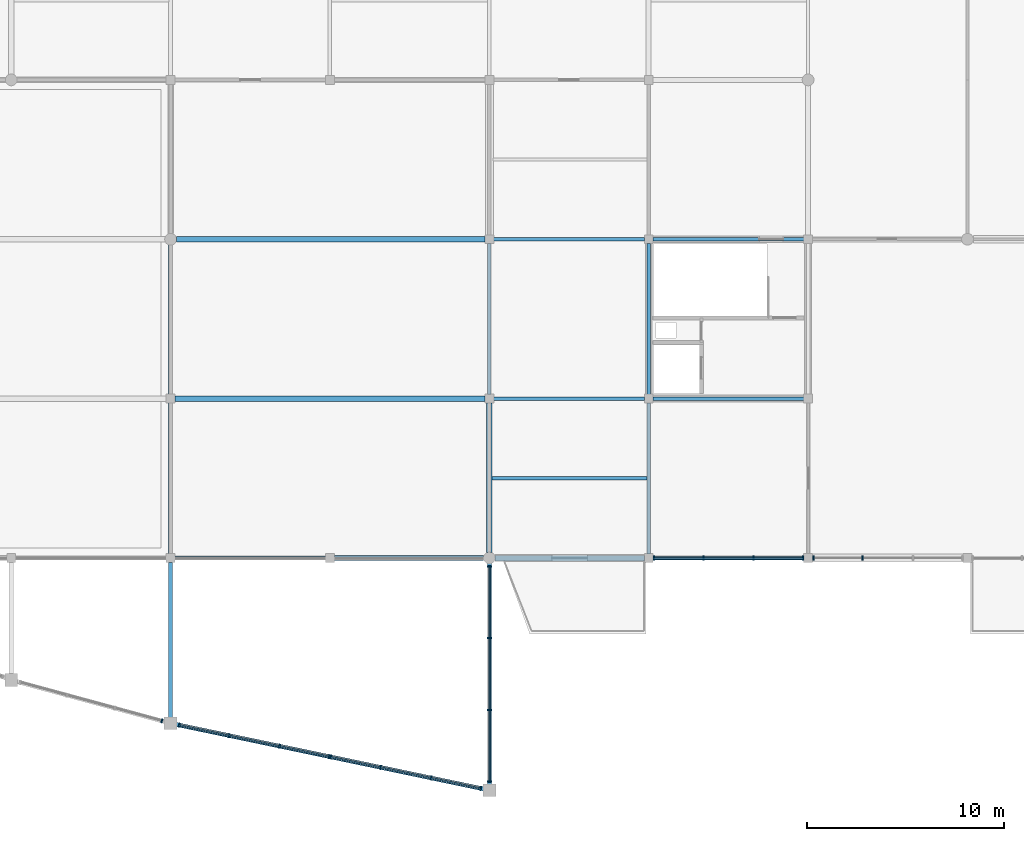
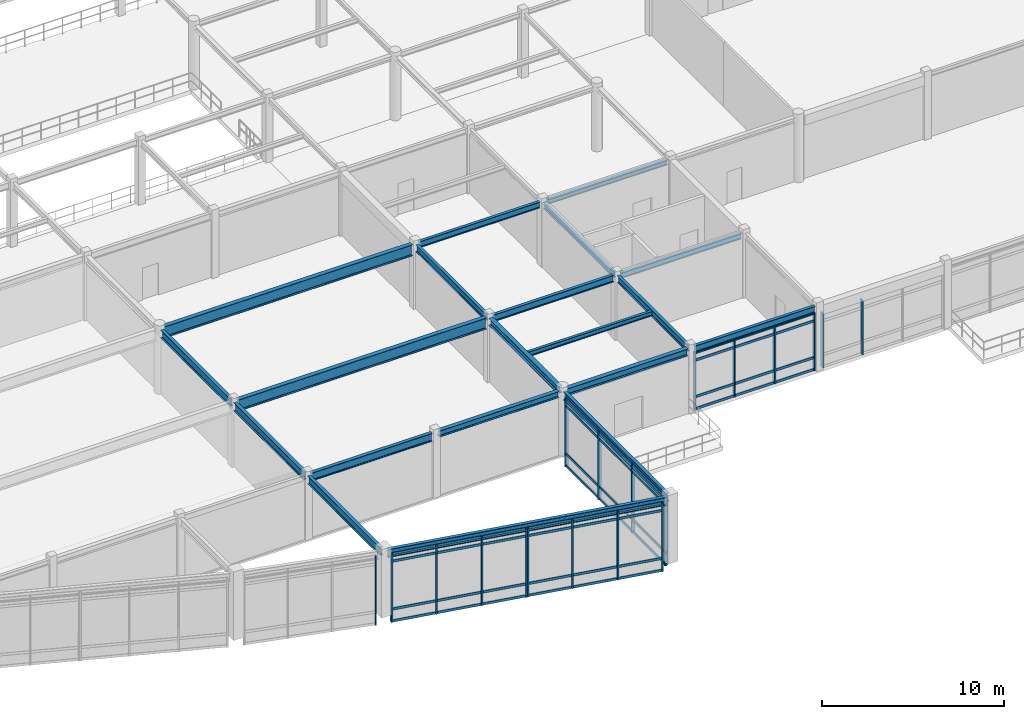
# One storey, part 21 of 93: 35 members, 20 beams, 6 elements without a shape of their own.
"""IFC4 building model written with IfcOpenShell, lengths in metres."""

from ifc_helpers import new_model, si_unit, direction, frame, origin, origin_2d, place, context, subcontext, project, spatial, rectangle, i_section, extrude, material, layer, layer_set, material_profile, profile_set, type_object, element, aggregate, save


model = new_model("IFC4")

# Units and contexts
model_context = context("Model", 3, precision=1e-05, world=origin(), true_north=direction((0.0, 1.0)))
body_context = subcontext(model_context, "Body", "Model", "MODEL_VIEW")
ifc_project = project(units=[si_unit("LENGTHUNIT", "METRE"), si_unit("AREAUNIT", "SQUARE_METRE"), si_unit("VOLUMEUNIT", "CUBIC_METRE"), si_unit("PLANEANGLEUNIT", "RADIAN"), si_unit("MASSUNIT", "GRAM", prefix="KILO")], contexts=[model_context])

# Site, building, storey
site_placement = place(None, origin())
site = spatial("IfcSite", under=ifc_project, at=site_placement, CompositionType="ELEMENT")
building_placement = place(site_placement, origin())
building = spatial("IfcBuilding", under=site, at=building_placement, Name="Vaudrelin Polytechnic", CompositionType="ELEMENT")
storey_placement = place(building_placement, frame((0.0, 0.0, 5.10009765625)))
storey = spatial("IfcBuildingStorey", under=building, at=storey_placement, Name="L01", CompositionType="ELEMENT", Elevation=5.10009765625)

# Beams
ifc_material_1 = material(Name="Steel CSA G40.21 350W", Category="steel")
ifc_material_profile_1 = material_profile(ifc_material_1, i_section(OverallWidth=0.178955078125, OverallDepth=0.409912109375, WebThickness=0.0087890625, FlangeThickness=0.014404296875, FilletRadius=0.01611328125, at=origin_2d()), Name="W410x67")
ifc_profile_set_1 = profile_set([ifc_material_profile_1], Name="Steel CSA G40.21 350W")
beam_type_1 = type_object("IfcBeamType", Name="BM-BM-W410", PredefinedType="BEAM", material=ifc_profile_set_1)
beam_1_placement = place(storey_placement, frame((89.10009765625, 8.31005859375, 4.10498046875), z_axis=(0.0, 1.0, 0.0), x_axis=(-1.0, 0.0, 0.0)))
element("IfcBeam", 1, at=beam_1_placement, inside=storey, type_object=beam_type_1, Name="L01 Y-beam 12-2", PredefinedType="BEAM", context=body_context, shape_type="SweptSolid", body=[
    extrude(i_section(OverallWidth=0.178955078125, OverallDepth=0.409912109375, WebThickness=0.0087890625, FlangeThickness=0.014404296875, FilletRadius=0.01611328125, at=origin_2d()), origin(), (0.0, 0.0, 1.0), 7.679931640625),
])
for number, where, z_axis, x_axis, name in (
    (2, (81.220947265625, 16.199951171875, 4.10498046875), (1.0, 0.0, 0.0), (0.0, 1.0, 0.0), "L01 X-beam 11-3"),
    (3, (89.321044921875, 8.10009765625, 4.10498046875), (1.0, 0.0, 0.0), (0.0, 1.0, 0.0), "L01 X-beam 12-2"),
):
    element("IfcBeam", number, at=place(storey_placement, frame(where, z_axis=z_axis, x_axis=x_axis)), inside=storey, type_object=beam_type_1, Name=name, PredefinedType="BEAM", context=body_context, shape_type="SweptSolid", body=[
        extrude(i_section(OverallWidth=0.178955078125, OverallDepth=0.409912109375, WebThickness=0.0087890625, FlangeThickness=0.014404296875, FilletRadius=0.01611328125, at=origin_2d()), origin(), (0.0, 0.0, 1.0), 7.657958984375),
    ])
ifc_material_2 = material(Name="Steel CSA G40.21 350WT", Category="steel")
ifc_material_profile_2 = material_profile(ifc_material_2, i_section(OverallWidth=0.260009765625, OverallDepth=0.4150390625, WebThickness=0.010009765625, FlangeThickness=0.016845703125, FilletRadius=0.01611328125, at=origin_2d()), Name="W410x100")
ifc_profile_set_2 = profile_set([ifc_material_profile_2], Name="Steel CSA G40.21 350WT")
beam_type_2 = type_object("IfcBeamType", Name="BM-BM-W410H", PredefinedType="SPANDREL", material=ifc_profile_set_2)
beam_2_placement = place(storey_placement, frame((73.12109375, 0.0, 4.102294921875), z_axis=(1.0, 0.0, 0.0), x_axis=(0.0, 1.0, 0.0)))
element("IfcBeam", 4, at=beam_2_placement, inside=storey, type_object=beam_type_2, Name="L01 X-beam 10-1", PredefinedType="SPANDREL", context=body_context, shape_type="SweptSolid", body=[
    extrude(i_section(OverallWidth=0.260009765625, OverallDepth=0.4150390625, WebThickness=0.010009765625, FlangeThickness=0.016845703125, FilletRadius=0.01611328125, at=origin_2d()), origin(), (0.0, 0.0, 1.0), 7.5830078125),
])
ifc_material_profile_3 = material_profile(ifc_material_2, i_section(OverallWidth=0.19091796875, OverallDepth=0.4599609375, WebThickness=0.010009765625, FlangeThickness=0.01611328125, FilletRadius=0.01806640625, at=origin_2d()), Name="W460x82")
ifc_profile_set_3 = profile_set([ifc_material_profile_3], Name="Steel CSA G40.21 350WT")
beam_type_3 = type_object("IfcBeamType", Name="BM-BM-W460", PredefinedType="BEAM", material=ifc_profile_set_3)
for number, where, z_axis, x_axis, name in (
    (5, (81.0, 8.31005859375, 4.079833984375), (0.0, 1.0, 0.0), (-1.0, 0.0, 0.0), "L01 Y-beam 11-2"),
    (6, (89.10009765625, 0.2099609375, 4.079833984375), (0.0, 1.0, 0.0), (-1.0, 0.0, 0.0), "L01 Y-beam 12-1"),
):
    element("IfcBeam", number, at=place(storey_placement, frame(where, z_axis=z_axis, x_axis=x_axis)), inside=storey, type_object=beam_type_3, Name=name, PredefinedType="BEAM", context=body_context, shape_type="SweptSolid", body=[
        extrude(i_section(OverallWidth=0.19091796875, OverallDepth=0.4599609375, WebThickness=0.010009765625, FlangeThickness=0.01611328125, FilletRadius=0.01806640625, at=origin_2d()), origin(), (0.0, 0.0, 1.0), 7.679931640625),
    ])
for number, where, z_axis, x_axis, name in (
    (7, (81.220947265625, 8.10009765625, 4.079833984375), (1.0, 0.0, 0.0), (0.0, 1.0, 0.0), "L01 X-beam 11-2"),
    (8, (89.321044921875, 0.0, 4.079833984375), (1.0, 0.0, 0.0), (0.0, 1.0, 0.0), "L01 X-beam 12-1"),
):
    element("IfcBeam", number, at=place(storey_placement, frame(where, z_axis=z_axis, x_axis=x_axis)), inside=storey, type_object=beam_type_3, Name=name, PredefinedType="BEAM", context=body_context, shape_type="SweptSolid", body=[
        extrude(i_section(OverallWidth=0.19091796875, OverallDepth=0.4599609375, WebThickness=0.010009765625, FlangeThickness=0.01611328125, FilletRadius=0.01806640625, at=origin_2d()), origin(), (0.0, 0.0, 1.0), 7.657958984375),
    ])
ifc_material_profile_4 = material_profile(ifc_material_1, i_section(OverallWidth=0.280029296875, OverallDepth=0.462890625, WebThickness=0.0107421875, FlangeThickness=0.017333984375, FilletRadius=0.01806640625, at=origin_2d()), Name="W460x113")
ifc_profile_set_4 = profile_set([ifc_material_profile_4], Name="Steel CSA G40.21 350W")
beam_type_4 = type_object("IfcBeamType", Name="BM-BM-W460H", PredefinedType="BEAM", material=ifc_profile_set_4)
beam_3_placement = place(storey_placement, frame((81.0, 0.284912109375, 4.078369140625), z_axis=(0.0, 1.0, 0.0), x_axis=(-1.0, 0.0, 0.0)))
element("IfcBeam", 9, at=beam_3_placement, inside=storey, type_object=beam_type_4, Name="L01 Y-beam 11-1", PredefinedType="BEAM", context=body_context, shape_type="SweptSolid", body=[
    extrude(i_section(OverallWidth=0.280029296875, OverallDepth=0.462890625, WebThickness=0.0107421875, FlangeThickness=0.017333984375, FilletRadius=0.01806640625, at=origin_2d()), origin(), (0.0, 0.0, 1.0), 7.60498046875),
])
beam_4_placement = place(storey_placement, frame((81.2958984375, 0.0, 4.078369140625), z_axis=(1.0, 0.0, 0.0), x_axis=(0.0, 1.0, 0.0)))
element("IfcBeam", 10, at=beam_4_placement, inside=storey, type_object=beam_type_4, Name="L01 X-beam 11-1", PredefinedType="BEAM", context=body_context, shape_type="SweptSolid", body=[
    extrude(i_section(OverallWidth=0.280029296875, OverallDepth=0.462890625, WebThickness=0.0107421875, FlangeThickness=0.017333984375, FilletRadius=0.01806640625, at=origin_2d()), origin(), (0.0, 0.0, 1.0), 7.5830078125),
])
ifc_material_profile_5 = material_profile(ifc_material_1, i_section(OverallWidth=0.208984375, OverallDepth=0.532958984375, WebThickness=0.01025390625, FlangeThickness=0.015625, FilletRadius=0.01904296875, at=origin_2d()), Name="W530x92")
ifc_profile_set_5 = profile_set([ifc_material_profile_5], Name="Steel CSA G40.21 350W")
beam_type_5 = type_object("IfcBeamType", Name="BM-BM-W530", PredefinedType="BEAM", material=ifc_profile_set_5)
beam_5_placement = place(storey_placement, frame((64.800048828125, 8.31005859375, 4.04345703125), z_axis=(0.0, 1.0, 0.0), x_axis=(-1.0, 0.0, 0.0)))
element("IfcBeam", 11, at=beam_5_placement, inside=storey, type_object=beam_type_5, Name="L01 Y-beam 9-2", PredefinedType="BEAM", context=body_context, shape_type="SweptSolid", body=[
    extrude(i_section(OverallWidth=0.208984375, OverallDepth=0.532958984375, WebThickness=0.01025390625, FlangeThickness=0.015625, FilletRadius=0.01904296875, at=origin_2d()), origin(), (0.0, 0.0, 1.0), 7.60498046875),
])
beam_6_placement = place(storey_placement, frame((64.800048828125, -8.179931640625, 4.04345703125), z_axis=(0.0, 1.0, 0.0), x_axis=(-1.0, 0.0, 0.0)))
element("IfcBeam", 12, at=beam_6_placement, inside=storey, type_object=beam_type_5, Name="Sculptural edge beam L01 V2P_TIE_8", PredefinedType="BEAM", context=body_context, shape_type="SweptSolid", body=[
    extrude(i_section(OverallWidth=0.208984375, OverallDepth=0.532958984375, WebThickness=0.01025390625, FlangeThickness=0.015625, FilletRadius=0.01904296875, at=origin_2d()), origin(), (0.0, 0.0, 1.0), 7.9599609375),
])
ifc_material_profile_6 = material_profile(ifc_material_1, i_section(OverallWidth=0.214111328125, OverallDepth=0.549072265625, WebThickness=0.0146484375, FlangeThickness=0.023681640625, FilletRadius=0.01904296875, at=origin_2d()), Name="W530x138")
ifc_profile_set_6 = profile_set([ifc_material_profile_6], Name="Steel CSA G40.21 350W")
beam_type_6 = type_object("IfcBeamType", Name="BM-BM-W530H", PredefinedType="BEAM", material=ifc_profile_set_6)
beam_7_placement = place(storey_placement, frame((64.800048828125, 0.2099609375, 4.035400390625), z_axis=(0.0, 1.0, 0.0), x_axis=(-1.0, 0.0, 0.0)))
element("IfcBeam", 13, at=beam_7_placement, inside=storey, type_object=beam_type_6, Name="L01 Y-beam 9-1", PredefinedType="BEAM", context=body_context, shape_type="SweptSolid", body=[
    extrude(i_section(OverallWidth=0.214111328125, OverallDepth=0.549072265625, WebThickness=0.0146484375, FlangeThickness=0.023681640625, FilletRadius=0.01904296875, at=origin_2d()), origin(), (0.0, 0.0, 1.0), 7.679931640625),
])
beam_8_placement = place(storey_placement, frame((65.02099609375, 0.0, 4.035400390625), z_axis=(1.0, 0.0, 0.0), x_axis=(0.0, 1.0, 0.0)))
element("IfcBeam", 14, at=beam_8_placement, inside=storey, type_object=beam_type_6, Name="L01 X-beam 9-1", PredefinedType="BEAM", context=body_context, shape_type="SweptSolid", body=[
    extrude(i_section(OverallWidth=0.214111328125, OverallDepth=0.549072265625, WebThickness=0.0146484375, FlangeThickness=0.023681640625, FilletRadius=0.01904296875, at=origin_2d()), origin(), (0.0, 0.0, 1.0), 7.657958984375),
])
beam_9_placement = place(storey_placement, frame((65.015380859375, -8.4453125, 4.035400390625), z_axis=(0.978678204829, -0.205399540875, 0.0), x_axis=(0.205399540875, 0.978678204829, 0.0)))
element("IfcBeam", 15, at=beam_9_placement, inside=storey, type_object=beam_type_6, Name="Sculptural edge beam L01 V2P_BM_3", PredefinedType="BEAM", context=body_context, shape_type="SweptSolid", body=[
    extrude(i_section(OverallWidth=0.214111328125, OverallDepth=0.549072265625, WebThickness=0.0146484375, FlangeThickness=0.023681640625, FilletRadius=0.01904296875, at=origin_2d()), origin(), (0.0, 0.0, 1.0), 16.11279296875),
])
beam_10_placement = place(storey_placement, frame((81.0, -11.580078125, 4.035400390625), z_axis=(0.0, 1.0, 0.0), x_axis=(-1.0, 0.0, 0.0)))
element("IfcBeam", 16, at=beam_10_placement, inside=storey, type_object=beam_type_6, Name="Sculptural edge beam L01 V2P_BM_4", PredefinedType="BEAM", context=body_context, shape_type="SweptSolid", body=[
    extrude(i_section(OverallWidth=0.214111328125, OverallDepth=0.549072265625, WebThickness=0.0146484375, FlangeThickness=0.023681640625, FilletRadius=0.01904296875, at=origin_2d()), origin(), (0.0, 0.0, 1.0), 11.360107421875),
])
ifc_material_profile_7 = material_profile(ifc_material_1, i_section(OverallWidth=0.26611328125, OverallDepth=0.758056640625, WebThickness=0.013916015625, FlangeThickness=0.019287109375, FilletRadius=0.02197265625, at=origin_2d()), Name="W760x161")
ifc_profile_set_7 = profile_set([ifc_material_profile_7], Name="Steel CSA G40.21 350W")
beam_type_7 = type_object("IfcBeamType", Name="BM-BM-W760", PredefinedType="BEAM", material=ifc_profile_set_7)
beam_11_placement = place(storey_placement, frame((65.02099609375, 8.10009765625, 3.930908203125), z_axis=(1.0, 0.0, 0.0), x_axis=(0.0, 1.0, 0.0)))
element("IfcBeam", 17, at=beam_11_placement, inside=storey, type_object=beam_type_7, Name="Lecture hall clear-span girder L01-1B", PredefinedType="BEAM", context=body_context, shape_type="SweptSolid", body=[
    extrude(i_section(OverallWidth=0.26611328125, OverallDepth=0.758056640625, WebThickness=0.013916015625, FlangeThickness=0.019287109375, FilletRadius=0.02197265625, at=origin_2d()), origin(), (0.0, 0.0, 1.0), 15.758056640625),
])
beam_12_placement = place(storey_placement, frame((65.095947265625, 16.199951171875, 3.930908203125), z_axis=(1.0, 0.0, 0.0), x_axis=(0.0, 1.0, 0.0)))
element("IfcBeam", 18, at=beam_12_placement, inside=storey, type_object=beam_type_7, Name="Lecture hall clear-span girder L01-2B", PredefinedType="BEAM", context=body_context, shape_type="SweptSolid", body=[
    extrude(i_section(OverallWidth=0.26611328125, OverallDepth=0.758056640625, WebThickness=0.013916015625, FlangeThickness=0.019287109375, FilletRadius=0.02197265625, at=origin_2d()), origin(), (0.0, 0.0, 1.0), 15.68310546875),
])
ifc_material_profile_8 = material_profile(ifc_material_1, i_section(OverallWidth=0.1669921875, OverallDepth=0.31689453125, WebThickness=0.007568359375, FlangeThickness=0.01318359375, FilletRadius=0.013916015625, at=origin_2d()), Name="W310x52")
ifc_profile_set_8 = profile_set([ifc_material_profile_8], Name="Steel CSA G40.21 350W")
beam_type_8 = type_object("IfcBeamType", Name="BM-JS-W310", PredefinedType="JOIST", material=ifc_profile_set_8)
beam_13_placement = place(storey_placement, frame((81.135986328125, 4.050048828125, 4.1513671875), z_axis=(1.0, 0.0, 0.0), x_axis=(0.0, 1.0, 0.0)))
element("IfcBeam", 19, at=beam_13_placement, inside=storey, type_object=beam_type_8, Name="L01 floor joist 11-1", PredefinedType="JOIST", context=body_context, shape_type="SweptSolid", body=[
    extrude(i_section(OverallWidth=0.1669921875, OverallDepth=0.31689453125, WebThickness=0.007568359375, FlangeThickness=0.01318359375, FilletRadius=0.013916015625, at=origin_2d()), origin(), (0.0, 0.0, 1.0), 7.87255859375),
])
ifc_material_profile_9 = material_profile(ifc_material_1, i_section(OverallWidth=0.172119140625, OverallDepth=0.35791015625, WebThickness=0.0078125, FlangeThickness=0.01318359375, FilletRadius=0.014892578125, at=origin_2d()), Name="W360x57")
ifc_profile_set_9 = profile_set([ifc_material_profile_9], Name="Steel CSA G40.21 350W")
beam_type_9 = type_object("IfcBeamType", Name="BM-JS-W360", PredefinedType="JOIST", material=ifc_profile_set_9)
beam_14_placement = place(storey_placement, frame((89.321044921875, 16.199951171875, 4.130859375), z_axis=(1.0, 0.0, 0.0), x_axis=(0.0, 1.0, 0.0)))
element("IfcBeam", 20, at=beam_14_placement, inside=storey, type_object=beam_type_9, Name="L01 X-beam 12-3", PredefinedType="JOIST", context=body_context, shape_type="SweptSolid", body=[
    extrude(i_section(OverallWidth=0.172119140625, OverallDepth=0.35791015625, WebThickness=0.0078125, FlangeThickness=0.01318359375, FilletRadius=0.014892578125, at=origin_2d()), origin(), (0.0, 0.0, 1.0), 7.657958984375),
])

# Curtain wall, members
ifc_material_3 = material(Name="Thermally broken anodised aluminium AA 6063-T6 and low-e triple glazing", Category="aluminium")
ifc_layer_1 = layer(ifc_material_3, 0.199951171875)
ifc_layer_set_1 = layer_set([ifc_layer_1], Name="Thermally broken anodised aluminium AA 6063-T6 and low-e triple glazing")
curtain_wall_type_1 = type_object("IfcCurtainWallType", Name="CW-CW-POR", PredefinedType="USERDEFINED", material=ifc_layer_set_1)
curtain_wall_1_placement = place(storey_placement, origin())
curtain_wall_1 = element("IfcCurtainWall", 21, at=curtain_wall_1_placement, inside=storey, type_object=curtain_wall_type_1, Name="Curtain wall L01 S_V3_01", ObjectType="CURTAIN WALL", PredefinedType="USERDEFINED")
ifc_material_4 = material(Name="Anodised aluminium AA 6063-T6", Category="aluminium")
ifc_material_profile_10 = material_profile(ifc_material_4, rectangle(XDim=0.074951171875, YDim=0.219970703125, at=origin_2d()), Name="CWM-75x220")
ifc_profile_set_10 = profile_set([ifc_material_profile_10], Name="Anodised aluminium AA 6063-T6")
member_type_1 = type_object("IfcMemberType", Name="MEM-CWM-220", PredefinedType="MULLION", material=ifc_profile_set_10)
member_1_placement = place(storey_placement, frame((89.363037109375, 0.0, 0.0), z_axis=(0.0, 0.0, 1.0), x_axis=(1.0, 0.0, 0.0)))
member_1 = element("IfcMember", 22, at=member_1_placement, type_object=member_type_1, Name="S_V3_01 mullion 1", PredefinedType="MULLION", context=body_context, shape_type="SweptSolid", body=[
    extrude(rectangle(XDim=0.074951171875, YDim=0.219970703125, at=origin_2d()), origin(), (0.0, 0.0, 1.0), 3.851806640625),
])
member_2_placement = place(storey_placement, frame((91.874267578125, 0.0, 0.0), z_axis=(0.0, 0.0, 1.0), x_axis=(1.0, 0.0, 0.0)))
member_2 = element("IfcMember", 23, at=member_2_placement, type_object=member_type_1, Name="S_V3_01 mullion 2", PredefinedType="MULLION", context=body_context, shape_type="SweptSolid", body=[
    extrude(rectangle(XDim=0.074951171875, YDim=0.219970703125, at=origin_2d()), origin(), (0.0, 0.0, 1.0), 3.851806640625),
])
member_3_placement = place(storey_placement, frame((94.42578125, 0.0, 0.0), z_axis=(0.0, 0.0, 1.0), x_axis=(1.0, 0.0, 0.0)))
member_3 = element("IfcMember", 24, at=member_3_placement, type_object=member_type_1, Name="S_V3_01 mullion 3", PredefinedType="MULLION", context=body_context, shape_type="SweptSolid", body=[
    extrude(rectangle(XDim=0.074951171875, YDim=0.219970703125, at=origin_2d()), origin(), (0.0, 0.0, 1.0), 3.851806640625),
])
member_4_placement = place(storey_placement, frame((96.93701171875, 0.0, 0.0), z_axis=(0.0, 0.0, 1.0), x_axis=(1.0, 0.0, 0.0)))
member_4 = element("IfcMember", 25, at=member_4_placement, type_object=member_type_1, Name="S_V3_01 mullion 4", PredefinedType="MULLION", context=body_context, shape_type="SweptSolid", body=[
    extrude(rectangle(XDim=0.074951171875, YDim=0.219970703125, at=origin_2d()), origin(), (0.0, 0.0, 1.0), 3.851806640625),
])

curtain_wall_2_placement = place(storey_placement, origin())
curtain_wall_2 = element("IfcCurtainWall", 26, at=curtain_wall_2_placement, inside=storey, type_object=curtain_wall_type_1, Name="Curtain wall L01 S_V3_02", ObjectType="CURTAIN WALL", PredefinedType="USERDEFINED")
member_5_placement = place(storey_placement, frame((97.462890625, 0.0, 0.0), z_axis=(0.0, 0.0, 1.0), x_axis=(1.0, 0.0, 0.0)))
member_5 = element("IfcMember", 27, at=member_5_placement, type_object=member_type_1, Name="S_V3_02 mullion 1", PredefinedType="MULLION", context=body_context, shape_type="SweptSolid", body=[
    extrude(rectangle(XDim=0.074951171875, YDim=0.219970703125, at=origin_2d()), origin(), (0.0, 0.0, 1.0), 3.661865234375),
])
member_6_placement = place(storey_placement, frame((99.974365234375, 0.0, 0.0), z_axis=(0.0, 0.0, 1.0), x_axis=(1.0, 0.0, 0.0)))
member_6 = element("IfcMember", 28, at=member_6_placement, type_object=member_type_1, Name="S_V3_02 mullion 2", PredefinedType="MULLION", context=body_context, shape_type="SweptSolid", body=[
    extrude(rectangle(XDim=0.074951171875, YDim=0.219970703125, at=origin_2d()), origin(), (0.0, 0.0, 1.0), 3.661865234375),
])
aggregate(curtain_wall_2, [member_5, member_6])

# Curtain wall, member
ifc_layer_2 = layer(ifc_material_3, 0.199951171875)
ifc_layer_set_2 = layer_set([ifc_layer_2], Name="Thermally broken anodised aluminium AA 6063-T6 and low-e triple glazing")
curtain_wall_type_2 = type_object("IfcCurtainWallType", Name="CW-CW-WG", PredefinedType="USERDEFINED", material=ifc_layer_set_2)
curtain_wall_3_placement = place(storey_placement, origin())
curtain_wall_3 = element("IfcCurtainWall", 29, at=curtain_wall_3_placement, inside=storey, type_object=curtain_wall_type_2, Name="Curtain wall L01 V2P_2_0", ObjectType="CURTAIN WALL", PredefinedType="USERDEFINED")
member_7_placement = place(storey_placement, frame((64.3544921875, -8.27880859375, -0.630126953125), z_axis=(0.0, 0.0, 1.0), x_axis=(0.965042039381, -0.26209513965, 0.0)))
member_7 = element("IfcMember", 30, at=member_7_placement, type_object=member_type_1, Name="V2P_2_0 mullion 4", PredefinedType="MULLION", context=body_context, shape_type="SweptSolid", body=[
    extrude(rectangle(XDim=0.074951171875, YDim=0.219970703125, at=origin_2d()), origin(), (0.0, 0.0, 1.0), 4.610107421875),
])
aggregate(curtain_wall_3, [member_7])

# Curtain wall, members
curtain_wall_4_placement = place(storey_placement, origin())
curtain_wall_4 = element("IfcCurtainWall", 31, at=curtain_wall_4_placement, inside=storey, type_object=curtain_wall_type_2, Name="Curtain wall L01 V2P_3_0", ObjectType="CURTAIN WALL", PredefinedType="USERDEFINED")
member_8_placement = place(storey_placement, frame((65.247314453125, -8.493896484375, -0.630126953125), z_axis=(0.0, 0.0, 1.0), x_axis=(0.978678517459, -0.205398051265, 0.0)))
member_8 = element("IfcMember", 32, at=member_8_placement, type_object=member_type_1, Name="V2P_3_0 mullion 1", PredefinedType="MULLION", context=body_context, shape_type="SweptSolid", body=[
    extrude(rectangle(XDim=0.074951171875, YDim=0.219970703125, at=origin_2d()), origin(), (0.0, 0.0, 1.0), 4.610107421875),
])
member_9_placement = place(storey_placement, frame((67.772216796875, -9.023681640625, -0.630126953125), z_axis=(0.0, 0.0, 1.0), x_axis=(0.978678517459, -0.205398051265, 0.0)))
member_9 = element("IfcMember", 33, at=member_9_placement, type_object=member_type_1, Name="V2P_3_0 mullion 2", PredefinedType="MULLION", context=body_context, shape_type="SweptSolid", body=[
    extrude(rectangle(XDim=0.074951171875, YDim=0.219970703125, at=origin_2d()), origin(), (0.0, 0.0, 1.0), 4.610107421875),
])
member_10_placement = place(storey_placement, frame((70.336181640625, -9.56201171875, -0.630126953125), z_axis=(0.0, 0.0, 1.0), x_axis=(0.978678517459, -0.205398051265, 0.0)))
member_10 = element("IfcMember", 34, at=member_10_placement, type_object=member_type_1, Name="V2P_3_0 mullion 3", PredefinedType="MULLION", context=body_context, shape_type="SweptSolid", body=[
    extrude(rectangle(XDim=0.074951171875, YDim=0.219970703125, at=origin_2d()), origin(), (0.0, 0.0, 1.0), 4.610107421875),
])
member_11_placement = place(storey_placement, frame((72.86083984375, -10.091796875, -0.630126953125), z_axis=(0.0, 0.0, 1.0), x_axis=(0.978678517459, -0.205398051265, 0.0)))
member_11 = element("IfcMember", 35, at=member_11_placement, type_object=member_type_1, Name="V2P_3_0 mullion 4", PredefinedType="MULLION", context=body_context, shape_type="SweptSolid", body=[
    extrude(rectangle(XDim=0.074951171875, YDim=0.219970703125, at=origin_2d()), origin(), (0.0, 0.0, 1.0), 4.610107421875),
])

curtain_wall_5_placement = place(storey_placement, origin())
curtain_wall_5 = element("IfcCurtainWall", 36, at=curtain_wall_5_placement, inside=storey, type_object=curtain_wall_type_2, Name="Curtain wall L01 V2P_3_1", ObjectType="CURTAIN WALL", PredefinedType="USERDEFINED")
member_12_placement = place(storey_placement, frame((72.939208984375, -10.108154296875, -0.630126953125), z_axis=(0.0, 0.0, 1.0), x_axis=(0.978678517459, -0.205398051265, 0.0)))
member_12 = element("IfcMember", 37, at=member_12_placement, type_object=member_type_1, Name="V2P_3_1 mullion 1", PredefinedType="MULLION", context=body_context, shape_type="SweptSolid", body=[
    extrude(rectangle(XDim=0.074951171875, YDim=0.219970703125, at=origin_2d()), origin(), (0.0, 0.0, 1.0), 4.610107421875),
])
member_13_placement = place(storey_placement, frame((75.4638671875, -10.63818359375, -0.630126953125), z_axis=(0.0, 0.0, 1.0), x_axis=(0.978678517459, -0.205398051265, 0.0)))
member_13 = element("IfcMember", 38, at=member_13_placement, type_object=member_type_1, Name="V2P_3_1 mullion 2", PredefinedType="MULLION", context=body_context, shape_type="SweptSolid", body=[
    extrude(rectangle(XDim=0.074951171875, YDim=0.219970703125, at=origin_2d()), origin(), (0.0, 0.0, 1.0), 4.610107421875),
])
member_14_placement = place(storey_placement, frame((78.02783203125, -11.17626953125, -0.630126953125), z_axis=(0.0, 0.0, 1.0), x_axis=(0.978678517459, -0.205398051265, 0.0)))
member_14 = element("IfcMember", 39, at=member_14_placement, type_object=member_type_1, Name="V2P_3_1 mullion 3", PredefinedType="MULLION", context=body_context, shape_type="SweptSolid", body=[
    extrude(rectangle(XDim=0.074951171875, YDim=0.219970703125, at=origin_2d()), origin(), (0.0, 0.0, 1.0), 4.610107421875),
])
member_15_placement = place(storey_placement, frame((80.552734375, -11.7060546875, -0.630126953125), z_axis=(0.0, 0.0, 1.0), x_axis=(0.978678517459, -0.205398051265, 0.0)))
member_15 = element("IfcMember", 40, at=member_15_placement, type_object=member_type_1, Name="V2P_3_1 mullion 4", PredefinedType="MULLION", context=body_context, shape_type="SweptSolid", body=[
    extrude(rectangle(XDim=0.074951171875, YDim=0.219970703125, at=origin_2d()), origin(), (0.0, 0.0, 1.0), 4.610107421875),
])

curtain_wall_6_placement = place(storey_placement, origin())
curtain_wall_6 = element("IfcCurtainWall", 41, at=curtain_wall_6_placement, inside=storey, type_object=curtain_wall_type_2, Name="Curtain wall L01 V2P_4_0", ObjectType="CURTAIN WALL", PredefinedType="USERDEFINED")
member_16_placement = place(storey_placement, frame((81.0, -11.35009765625, -0.630126953125), z_axis=(0.0, 0.0, 1.0), x_axis=(0.0, 1.0, 0.0)))
member_16 = element("IfcMember", 42, at=member_16_placement, type_object=member_type_1, Name="V2P_4_0 mullion 1", PredefinedType="MULLION", context=body_context, shape_type="SweptSolid", body=[
    extrude(rectangle(XDim=0.074951171875, YDim=0.219970703125, at=origin_2d()), origin(), (0.0, 0.0, 1.0), 4.610107421875),
])
member_17_placement = place(storey_placement, frame((81.0, -7.7216796875, -0.630126953125), z_axis=(0.0, 0.0, 1.0), x_axis=(0.0, 1.0, 0.0)))
member_17 = element("IfcMember", 43, at=member_17_placement, type_object=member_type_1, Name="V2P_4_0 mullion 2", PredefinedType="MULLION", context=body_context, shape_type="SweptSolid", body=[
    extrude(rectangle(XDim=0.074951171875, YDim=0.219970703125, at=origin_2d()), origin(), (0.0, 0.0, 1.0), 4.610107421875),
])
member_18_placement = place(storey_placement, frame((81.0, -4.05322265625, -0.630126953125), z_axis=(0.0, 0.0, 1.0), x_axis=(0.0, 1.0, 0.0)))
member_18 = element("IfcMember", 44, at=member_18_placement, type_object=member_type_1, Name="V2P_4_0 mullion 3", PredefinedType="MULLION", context=body_context, shape_type="SweptSolid", body=[
    extrude(rectangle(XDim=0.074951171875, YDim=0.219970703125, at=origin_2d()), origin(), (0.0, 0.0, 1.0), 4.610107421875),
])
member_19_placement = place(storey_placement, frame((81.0, -0.425048828125, -0.630126953125), z_axis=(0.0, 0.0, 1.0), x_axis=(0.0, 1.0, 0.0)))
member_19 = element("IfcMember", 45, at=member_19_placement, type_object=member_type_1, Name="V2P_4_0 mullion 4", PredefinedType="MULLION", context=body_context, shape_type="SweptSolid", body=[
    extrude(rectangle(XDim=0.074951171875, YDim=0.219970703125, at=origin_2d()), origin(), (0.0, 0.0, 1.0), 4.610107421875),
])

# Member
ifc_material_profile_11 = material_profile(ifc_material_4, rectangle(XDim=0.074951171875, YDim=0.1650390625, at=origin_2d()), Name="CWT-75x165")
ifc_profile_set_11 = profile_set([ifc_material_profile_11], Name="Anodised aluminium AA 6063-T6")
member_type_2 = type_object("IfcMemberType", Name="MEM-CWT-165", PredefinedType="USERDEFINED", material=ifc_profile_set_11)
member_20_placement = place(storey_placement, frame((89.322998046875, 0.0, 0.0498046875), z_axis=(1.0, 0.0, 0.0), x_axis=(0.0, 1.0, 0.0)))
member_20 = element("IfcMember", 46, at=member_20_placement, type_object=member_type_2, Name="S_V3_01 transom 1", ObjectType="TRANSOM", PredefinedType="USERDEFINED", context=body_context, shape_type="SweptSolid", body=[
    extrude(rectangle(XDim=0.074951171875, YDim=0.1650390625, at=origin_2d()), origin(), (0.0, 0.0, 1.0), 7.654052734375),
])

member_21_placement = place(storey_placement, frame((89.322998046875, 0.0, 0.849853515625), z_axis=(1.0, 0.0, 0.0), x_axis=(0.0, 1.0, 0.0)))
member_21 = element("IfcMember", 47, at=member_21_placement, type_object=member_type_2, Name="S_V3_01 transom 2", ObjectType="TRANSOM", PredefinedType="USERDEFINED", context=body_context, shape_type="SweptSolid", body=[
    extrude(rectangle(XDim=0.074951171875, YDim=0.1650390625, at=origin_2d()), origin(), (0.0, 0.0, 1.0), 7.654052734375),
])

member_22_placement = place(storey_placement, frame((89.322998046875, 0.0, 3.302001953125), z_axis=(1.0, 0.0, 0.0), x_axis=(0.0, 1.0, 0.0)))
member_22 = element("IfcMember", 48, at=member_22_placement, type_object=member_type_2, Name="S_V3_01 transom 3", ObjectType="TRANSOM", PredefinedType="USERDEFINED", context=body_context, shape_type="SweptSolid", body=[
    extrude(rectangle(XDim=0.074951171875, YDim=0.1650390625, at=origin_2d()), origin(), (0.0, 0.0, 1.0), 7.654052734375),
])

member_23_placement = place(storey_placement, frame((89.322998046875, 0.0, 3.802001953125), z_axis=(1.0, 0.0, 0.0), x_axis=(0.0, 1.0, 0.0)))
member_23 = element("IfcMember", 49, at=member_23_placement, type_object=member_type_2, Name="S_V3_01 transom 4", ObjectType="TRANSOM", PredefinedType="USERDEFINED", context=body_context, shape_type="SweptSolid", body=[
    extrude(rectangle(XDim=0.074951171875, YDim=0.1650390625, at=origin_2d()), origin(), (0.0, 0.0, 1.0), 7.654052734375),
])

aggregate(curtain_wall_1, [member_1, member_2, member_3, member_4, member_20, member_21, member_22, member_23])

member_24_placement = place(storey_placement, frame((65.208251953125, -8.485595703125, -0.580078125), z_axis=(0.978672548536, -0.205426489874, 0.0), x_axis=(0.205426489874, 0.978672548536, 0.0)))
member_24 = element("IfcMember", 50, at=member_24_placement, type_object=member_type_2, Name="V2P_3_0 transom 1", ObjectType="TRANSOM", PredefinedType="USERDEFINED", context=body_context, shape_type="SweptSolid", body=[
    extrude(rectangle(XDim=0.074951171875, YDim=0.1650390625, at=origin_2d()), origin(), (0.0, 0.0, 1.0), 7.859375),
])

member_25_placement = place(storey_placement, frame((65.208251953125, -8.485595703125, 0.219970703125), z_axis=(0.978672548536, -0.205426489874, 0.0), x_axis=(0.205426489874, 0.978672548536, 0.0)))
member_25 = element("IfcMember", 51, at=member_25_placement, type_object=member_type_2, Name="V2P_3_0 transom 2", ObjectType="TRANSOM", PredefinedType="USERDEFINED", context=body_context, shape_type="SweptSolid", body=[
    extrude(rectangle(XDim=0.074951171875, YDim=0.1650390625, at=origin_2d()), origin(), (0.0, 0.0, 1.0), 7.859375),
])

member_26_placement = place(storey_placement, frame((65.208251953125, -8.485595703125, 3.429931640625), z_axis=(0.978672548536, -0.205426489874, 0.0), x_axis=(0.205426489874, 0.978672548536, 0.0)))
member_26 = element("IfcMember", 52, at=member_26_placement, type_object=member_type_2, Name="V2P_3_0 transom 3", ObjectType="TRANSOM", PredefinedType="USERDEFINED", context=body_context, shape_type="SweptSolid", body=[
    extrude(rectangle(XDim=0.074951171875, YDim=0.1650390625, at=origin_2d()), origin(), (0.0, 0.0, 1.0), 7.859375),
])

member_27_placement = place(storey_placement, frame((65.208251953125, -8.485595703125, 3.929931640625), z_axis=(0.978672548536, -0.205426489874, 0.0), x_axis=(0.205426489874, 0.978672548536, 0.0)))
member_27 = element("IfcMember", 53, at=member_27_placement, type_object=member_type_2, Name="V2P_3_0 transom 4", ObjectType="TRANSOM", PredefinedType="USERDEFINED", context=body_context, shape_type="SweptSolid", body=[
    extrude(rectangle(XDim=0.074951171875, YDim=0.1650390625, at=origin_2d()), origin(), (0.0, 0.0, 1.0), 7.859375),
])

aggregate(curtain_wall_4, [member_8, member_9, member_10, member_11, member_24, member_25, member_26, member_27])

member_28_placement = place(storey_placement, frame((72.89990234375, -10.10009765625, -0.580078125), z_axis=(0.978680103874, -0.205390492186, 0.0), x_axis=(0.205390492186, 0.978680103874, 0.0)))
member_28 = element("IfcMember", 54, at=member_28_placement, type_object=member_type_2, Name="V2P_3_1 transom 1", ObjectType="TRANSOM", PredefinedType="USERDEFINED", context=body_context, shape_type="SweptSolid", body=[
    extrude(rectangle(XDim=0.074951171875, YDim=0.1650390625, at=origin_2d()), origin(), (0.0, 0.0, 1.0), 7.859375),
])

member_29_placement = place(storey_placement, frame((72.89990234375, -10.10009765625, 0.219970703125), z_axis=(0.978680103874, -0.205390492186, 0.0), x_axis=(0.205390492186, 0.978680103874, 0.0)))
member_29 = element("IfcMember", 55, at=member_29_placement, type_object=member_type_2, Name="V2P_3_1 transom 2", ObjectType="TRANSOM", PredefinedType="USERDEFINED", context=body_context, shape_type="SweptSolid", body=[
    extrude(rectangle(XDim=0.074951171875, YDim=0.1650390625, at=origin_2d()), origin(), (0.0, 0.0, 1.0), 7.859375),
])

member_30_placement = place(storey_placement, frame((72.89990234375, -10.10009765625, 3.429931640625), z_axis=(0.978680103874, -0.205390492186, 0.0), x_axis=(0.205390492186, 0.978680103874, 0.0)))
member_30 = element("IfcMember", 56, at=member_30_placement, type_object=member_type_2, Name="V2P_3_1 transom 3", ObjectType="TRANSOM", PredefinedType="USERDEFINED", context=body_context, shape_type="SweptSolid", body=[
    extrude(rectangle(XDim=0.074951171875, YDim=0.1650390625, at=origin_2d()), origin(), (0.0, 0.0, 1.0), 7.859375),
])

member_31_placement = place(storey_placement, frame((72.89990234375, -10.10009765625, 3.929931640625), z_axis=(0.978680103874, -0.205390492186, 0.0), x_axis=(0.205390492186, 0.978680103874, 0.0)))
member_31 = element("IfcMember", 57, at=member_31_placement, type_object=member_type_2, Name="V2P_3_1 transom 4", ObjectType="TRANSOM", PredefinedType="USERDEFINED", context=body_context, shape_type="SweptSolid", body=[
    extrude(rectangle(XDim=0.074951171875, YDim=0.1650390625, at=origin_2d()), origin(), (0.0, 0.0, 1.0), 7.859375),
])

aggregate(curtain_wall_5, [member_12, member_13, member_14, member_15, member_28, member_29, member_30, member_31])

member_32_placement = place(storey_placement, frame((81.0, -11.389892578125, -0.580078125), z_axis=(0.0, 1.0, 0.0), x_axis=(-1.0, 0.0, 0.0)))
member_32 = element("IfcMember", 58, at=member_32_placement, type_object=member_type_2, Name="V2P_4_0 transom 1", ObjectType="TRANSOM", PredefinedType="USERDEFINED", context=body_context, shape_type="SweptSolid", body=[
    extrude(rectangle(XDim=0.074951171875, YDim=0.1650390625, at=origin_2d()), origin(), (0.0, 0.0, 1.0), 11.0048828125),
])

member_33_placement = place(storey_placement, frame((81.0, -11.389892578125, 0.219970703125), z_axis=(0.0, 1.0, 0.0), x_axis=(-1.0, 0.0, 0.0)))
member_33 = element("IfcMember", 59, at=member_33_placement, type_object=member_type_2, Name="V2P_4_0 transom 2", ObjectType="TRANSOM", PredefinedType="USERDEFINED", context=body_context, shape_type="SweptSolid", body=[
    extrude(rectangle(XDim=0.074951171875, YDim=0.1650390625, at=origin_2d()), origin(), (0.0, 0.0, 1.0), 11.0048828125),
])

member_34_placement = place(storey_placement, frame((81.0, -11.389892578125, 3.429931640625), z_axis=(0.0, 1.0, 0.0), x_axis=(-1.0, 0.0, 0.0)))
member_34 = element("IfcMember", 60, at=member_34_placement, type_object=member_type_2, Name="V2P_4_0 transom 3", ObjectType="TRANSOM", PredefinedType="USERDEFINED", context=body_context, shape_type="SweptSolid", body=[
    extrude(rectangle(XDim=0.074951171875, YDim=0.1650390625, at=origin_2d()), origin(), (0.0, 0.0, 1.0), 11.0048828125),
])

member_35_placement = place(storey_placement, frame((81.0, -11.389892578125, 3.929931640625), z_axis=(0.0, 1.0, 0.0), x_axis=(-1.0, 0.0, 0.0)))
member_35 = element("IfcMember", 61, at=member_35_placement, type_object=member_type_2, Name="V2P_4_0 transom 4", ObjectType="TRANSOM", PredefinedType="USERDEFINED", context=body_context, shape_type="SweptSolid", body=[
    extrude(rectangle(XDim=0.074951171875, YDim=0.1650390625, at=origin_2d()), origin(), (0.0, 0.0, 1.0), 11.0048828125),
])

aggregate(curtain_wall_6, [member_16, member_17, member_18, member_19, member_32, member_33, member_34, member_35])

save(model, "model.ifc")
